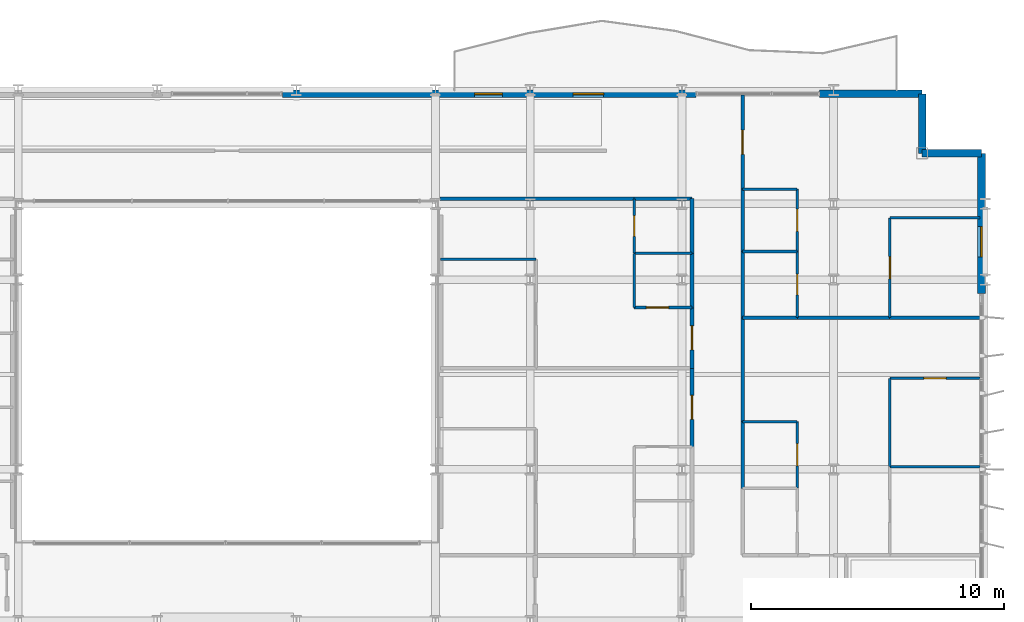
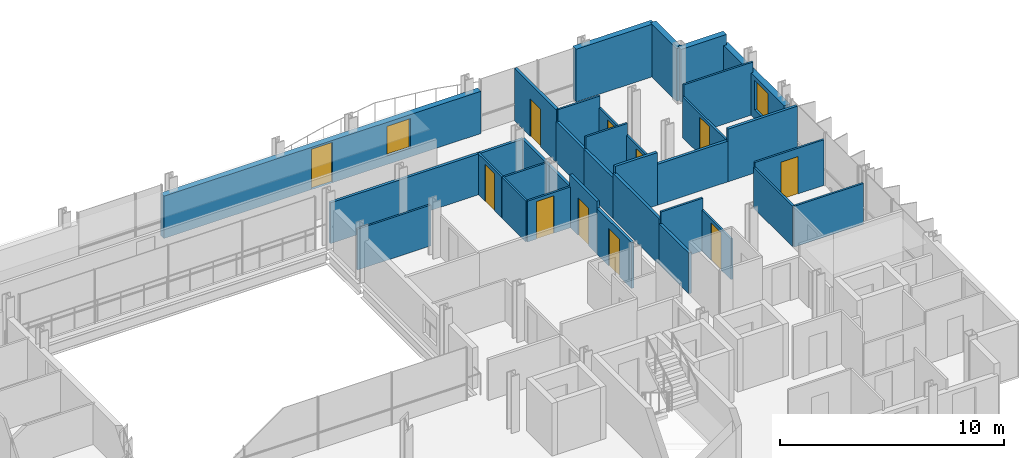
# One storey, part 32 of 38: 35 walls, 11 doors, 2 windows, 13 openings.
"""IFC4 building model written with IfcOpenShell, lengths in metres."""

from ifc_helpers import new_model, si_unit, direction, frame, frame_2d, origin, place, context, subcontext, project, spatial, rectangle, extrude, material, layer, layer_set, type_object, element, fill, save


model = new_model("IFC4")

# Units and contexts
model_context = context("Model", 3, precision=1e-05, world=origin(), true_north=direction((0.0, 1.0)))
body_context = subcontext(model_context, "Body", "Model", "MODEL_VIEW")
ifc_project = project(units=[si_unit("LENGTHUNIT", "METRE"), si_unit("AREAUNIT", "SQUARE_METRE"), si_unit("VOLUMEUNIT", "CUBIC_METRE"), si_unit("PLANEANGLEUNIT", "RADIAN"), si_unit("MASSUNIT", "GRAM", prefix="KILO")], contexts=[model_context])

# Site, building, storey
site_placement = place(None, origin())
site = spatial("IfcSite", under=ifc_project, at=site_placement, CompositionType="ELEMENT")
building_placement = place(site_placement, origin())
building = spatial("IfcBuilding", under=site, at=building_placement, Name="Brevholm Reach", CompositionType="ELEMENT")
storey_placement = place(building_placement, frame((0.0, 0.0, 65.199951171875)))
storey = spatial("IfcBuildingStorey", under=building, at=storey_placement, Name="L18", CompositionType="ELEMENT", Elevation=65.199951171875)

# Walls
ifc_material_1 = material(Name="Concrete C40/50", Category="concrete")
ifc_layer_1 = layer(ifc_material_1, 0.300048828125)
ifc_layer_set_1 = layer_set([ifc_layer_1], Name="Concrete C40/50")
wall_type_1 = type_object("IfcWallType", Name="WAL-EXT-300", PredefinedType="STANDARD", material=ifc_layer_set_1)
for number, where, z_axis, x_axis, name in (
    (1, (59.85009765625, 28.5, 0.0), (0.0, 0.0, 1.0), (-1.0, 0.0, 0.0), "L18 Facade Wall WAL-L18-CNE1"),
    (2, (57.5, 28.5, 0.0), (0.0, 0.0, 1.0), (0.0, 1.0, 0.0), "L18 Facade Wall WAL-L18-CNE2"),
):
    element("IfcWall", number, at=place(storey_placement, frame(where, z_axis=z_axis, x_axis=x_axis)), inside=storey, type_object=wall_type_1, Name=name, PredefinedType="STANDARD", context=body_context, shape_type="SweptSolid", body=[
        extrude(rectangle(XDim=2.35009765625, YDim=0.300048828125, at=frame_2d((1.175048828125, 0.0))), origin(), (0.0, 0.0, 1.0), 2.8701171875),
    ])

# Wall, opening, window
wall_1_placement = place(storey_placement, frame((59.85009765625, 22.949951171875, 0.0), z_axis=(0.0, 0.0, 1.0), x_axis=(0.0, 1.0, 0.0)))
wall_1 = element("IfcWall", 3, at=wall_1_placement, inside=storey, type_object=wall_type_1, Name="L18 Facade Wall WAL-L18-E-N", PredefinedType="STANDARD", context=body_context, shape_type="SweptSolid", body=[
    extrude(rectangle(XDim=5.550048828125, YDim=0.300048828125, at=frame_2d((2.77490234375, 0.0))), origin(), (0.0, 0.0, 1.0), 2.3056640625),
])
opening_1_placement = place(wall_1_placement, frame((1.449951171875, 0.0, 0.485107421875)))
opening_1 = element("IfcOpeningElement", 4, at=opening_1_placement, cuts=wall_1, Name="Opening WN-08", PredefinedType="OPENING", context=body_context, shape_type="SweptSolid", body=[
    extrude(rectangle(XDim=1.199951171875, YDim=1.60009765625, at=frame_2d((0.60009765625, 0.800048828125))), frame((0.0, 0.159912109375, 0.0), z_axis=(0.0, -1.0, 0.0), x_axis=(1.0, 0.0, 0.0)), (0.0, 0.0, 1.0), 0.320068359375),
])
ifc_material_2 = material(Name="Dark Anodised Aluminium and Solar-Control IGU Glass", Category="aluminium")
window_type = type_object("IfcWindowType", Name="WIN-RES-1200", PartitioningType="SINGLE_PANEL", PredefinedType="WINDOW", material=ifc_material_2)
window_1_placement = place(opening_1_placement, origin())
window_1 = element("IfcWindow", 5, at=window_1_placement, inside=storey, type_object=window_type, Name="L18 Window WIN-L18-EN-1", OverallHeight=1.60009765625, OverallWidth=1.199951171875, PartitioningType="SINGLE_PANEL", PredefinedType="WINDOW", context=body_context, shape_type="SweptSolid", body=[
    extrude(rectangle(XDim=1.199951171875, YDim=1.60009765625, at=frame_2d((0.60009765625, 0.800048828125))), frame((0.0, 0.030029296875, 0.0), z_axis=(0.0, -1.0, 0.0), x_axis=(1.0, 0.0, 0.0)), (0.0, 0.0, 1.0), 0.06005859375),
])
fill(opening_1, window_1)

# Wall
wall_2_placement = place(storey_placement, frame((53.449951171875, 30.85009765625, 0.0), z_axis=(0.0, 0.0, 1.0), x_axis=(1.0, 0.0, 0.0)))
element("IfcWall", 6, at=wall_2_placement, inside=storey, type_object=wall_type_1, Name="L18 Facade Wall WAL-L18-NP-E0", PredefinedType="STANDARD", context=body_context, shape_type="SweptSolid", body=[
    extrude(rectangle(XDim=4.050048828125, YDim=0.300048828125, at=frame_2d((2.02490234375, 0.0))), origin(), (0.0, 0.0, 1.0), 2.8701171875),
])

# Wall, openings, door, window
wall_3_placement = place(storey_placement, frame((32.199951171875, 30.85009765625, 0.0), z_axis=(0.0, 0.0, 1.0), x_axis=(1.0, 0.0, 0.0)))
wall_3 = element("IfcWall", 7, at=wall_3_placement, inside=storey, type_object=wall_type_1, Name="L18 Facade Wall WAL-L18-NP-ER", PredefinedType="STANDARD", context=body_context, shape_type="SweptSolid", body=[
    extrude(rectangle(XDim=16.35009765625, YDim=0.300048828125, at=frame_2d((8.175048828125, 0.0))), origin(), (0.0, 0.0, 1.0), 2.3056640625),
])
opening_2_placement = place(wall_3_placement, frame((7.60009765625, 0.0, 0.0)))
opening_2 = element("IfcOpeningElement", 8, at=opening_2_placement, cuts=wall_3, Name="Opening BD-01", PredefinedType="OPENING", context=body_context, shape_type="SweptSolid", body=[
    extrude(rectangle(XDim=1.10009765625, YDim=2.199951171875, at=frame_2d((0.550048828125, 1.10009765625))), frame((0.0, 0.159912109375, 0.0), z_axis=(0.0, -1.0, 0.0), x_axis=(1.0, 0.0, 0.0)), (0.0, 0.0, 1.0), 0.320068359375),
])
opening_3_placement = place(wall_3_placement, frame((11.5, 0.0, 0.485107421875)))
opening_3 = element("IfcOpeningElement", 9, at=opening_3_placement, cuts=wall_3, Name="Opening WN-08", PredefinedType="OPENING", context=body_context, shape_type="SweptSolid", body=[
    extrude(rectangle(XDim=1.199951171875, YDim=1.60009765625, at=frame_2d((0.60009765625, 0.800048828125))), frame((0.0, 0.159912109375, 0.0), z_axis=(0.0, -1.0, 0.0), x_axis=(1.0, 0.0, 0.0)), (0.0, 0.0, 1.0), 0.320068359375),
])
ifc_material_3 = material(Name="Dark Anodised Aluminium and Triple-Glazed Glass", Category="aluminium")
door_type_1 = type_object("IfcDoorType", Name="DOR-BALC-1100", OperationType="NOTDEFINED", PredefinedType="DOOR", material=ifc_material_3)
door_1_placement = place(opening_2_placement, origin())
door_1 = element("IfcDoor", 10, at=door_1_placement, inside=storey, type_object=door_type_1, Name="L18 Exterior Door DOR-L18-BL-NE", OperationType="SINGLE_SWING_LEFT", OverallHeight=2.199951171875, OverallWidth=1.10009765625, PredefinedType="DOOR", context=body_context, shape_type="SweptSolid", body=[
    extrude(rectangle(XDim=1.10009765625, YDim=2.199951171875, at=frame_2d((0.550048828125, 1.10009765625))), frame((0.0, 0.02490234375, 0.0), z_axis=(0.0, -1.0, 0.0), x_axis=(1.0, 0.0, 0.0)), (0.0, 0.0, 1.0), 0.050048828125),
])
fill(opening_2, door_1)
window_2_placement = place(opening_3_placement, origin())
window_2 = element("IfcWindow", 11, at=window_2_placement, inside=storey, type_object=window_type, Name="L18 Window WIN-L18-NP-ER1", OverallHeight=1.60009765625, OverallWidth=1.199951171875, PartitioningType="SINGLE_PANEL", PredefinedType="WINDOW", context=body_context, shape_type="SweptSolid", body=[
    extrude(rectangle(XDim=1.199951171875, YDim=1.60009765625, at=frame_2d((0.60009765625, 0.800048828125))), frame((0.0, 0.030029296875, 0.0), z_axis=(0.0, -1.0, 0.0), x_axis=(1.0, 0.0, 0.0)), (0.0, 0.0, 1.0), 0.06005859375),
])
fill(opening_3, window_2)

# Wall
ifc_material_4 = material(Name="Moisture-Resistant Acoustic Gypsum Stud Partition 100 mm", Category="gypsum")
ifc_layer_2 = layer(ifc_material_4, 0.10009765625)
ifc_layer_set_2 = layer_set([ifc_layer_2], Name="Moisture-Resistant Acoustic Gypsum Stud Partition 100 mm")
wall_type_2 = type_object("IfcWallType", Name="WAL-PRT-100", PredefinedType="PARTITIONING", material=ifc_layer_set_2)
wall_4_placement = place(storey_placement, frame((46.112060546875, 24.550048828125, 0.0), z_axis=(0.0, 0.0, 1.0), x_axis=(1.0, 0.0, 0.0)))
element("IfcWall", 12, at=wall_4_placement, inside=storey, type_object=wall_type_2, Name="L18 Internal Partition 130", PredefinedType="PARTITIONING", context=body_context, shape_type="SweptSolid", body=[
    extrude(rectangle(XDim=2.283935546875, YDim=0.10009765625, at=frame_2d((1.14208984375, 0.0))), origin(), (0.0, 0.0, 1.0), 2.224853515625),
])

# Wall, opening, door
wall_5_placement = place(storey_placement, frame((46.112060546875, 24.550048828125, 0.0), z_axis=(0.0, 0.0, 1.0), x_axis=(0.0, 1.0, 0.0)))
wall_5 = element("IfcWall", 13, at=wall_5_placement, inside=storey, type_object=wall_type_2, Name="L18 Internal Partition 131", PredefinedType="PARTITIONING", context=body_context, shape_type="SweptSolid", body=[
    extrude(rectangle(XDim=2.14599609375, YDim=0.10009765625, at=frame_2d((1.072998046875, 0.0))), origin(), (0.0, 0.0, 1.0), 2.224853515625),
])
opening_4_placement = place(wall_5_placement, frame((0.6630859375, 0.0, 0.0)))
opening_4 = element("IfcOpeningElement", 14, at=opening_4_placement, cuts=wall_5, Name="Opening ID-03", PredefinedType="OPENING", context=body_context, shape_type="SweptSolid", body=[
    extrude(rectangle(XDim=0.820068359375, YDim=2.02001953125, at=frame_2d((0.41015625, 1.010009765625))), frame((0.0, 0.06005859375, 0.0), z_axis=(0.0, -1.0, 0.0), x_axis=(1.0, 0.0, 0.0)), (0.0, 0.0, 1.0), 0.1201171875),
])
ifc_material_5 = material(Name="Moisture-Resistant Painted Timber Internal Bathroom Door", Category="wood")
door_type_2 = type_object("IfcDoorType", Name="DOR-BATH-820", OperationType="NOTDEFINED", PredefinedType="DOOR", material=ifc_material_5)
door_2_placement = place(opening_4_placement, origin())
door_2 = element("IfcDoor", 15, at=door_2_placement, inside=storey, type_object=door_type_2, Name="L18 Internal Door 050", OperationType="SINGLE_SWING_RIGHT", OverallHeight=2.02001953125, OverallWidth=0.820068359375, PredefinedType="DOOR", context=body_context, shape_type="SweptSolid", body=[
    extrude(rectangle(XDim=0.820068359375, YDim=2.02001953125, at=frame_2d((0.41015625, 1.010009765625))), frame((0.0, 0.02490234375, 0.0), z_axis=(0.0, -1.0, 0.0), x_axis=(1.0, 0.0, 0.0)), (0.0, 0.0, 1.0), 0.050048828125),
])
fill(opening_4, door_2)

wall_6_placement = place(storey_placement, frame((46.112060546875, 22.39990234375, 0.0), z_axis=(0.0, 0.0, 1.0), x_axis=(1.0, 0.0, 0.0)))
wall_6 = element("IfcWall", 16, at=wall_6_placement, inside=storey, type_object=wall_type_2, Name="L18 Internal Partition 132", PredefinedType="PARTITIONING", context=body_context, shape_type="SweptSolid", body=[
    extrude(rectangle(XDim=2.283935546875, YDim=0.10009765625, at=frame_2d((1.14208984375, 0.0))), origin(), (0.0, 0.0, 1.0), 2.224853515625),
])
opening_5_placement = place(wall_6_placement, frame((0.48193359375, 0.0, 0.0)))
opening_5 = element("IfcOpeningElement", 17, at=opening_5_placement, cuts=wall_6, Name="Opening ID-01", PredefinedType="OPENING", context=body_context, shape_type="SweptSolid", body=[
    extrude(rectangle(XDim=0.8798828125, YDim=2.0400390625, at=frame_2d((0.43994140625, 1.02001953125))), frame((0.0, 0.06005859375, 0.0), z_axis=(0.0, -1.0, 0.0), x_axis=(1.0, 0.0, 0.0)), (0.0, 0.0, 1.0), 0.1201171875),
])
ifc_material_6 = material(Name="Lacquered Ash Solid-Core Acoustic Internal Door", Category="timber")
door_type_3 = type_object("IfcDoorType", Name="DOR-INT-880", OperationType="NOTDEFINED", PredefinedType="DOOR", material=ifc_material_6)
door_3_placement = place(opening_5_placement, origin())
door_3 = element("IfcDoor", 18, at=door_3_placement, inside=storey, type_object=door_type_3, Name="L18 Internal Door 051", OperationType="SINGLE_SWING_LEFT", OverallHeight=2.0400390625, OverallWidth=0.8798828125, PredefinedType="DOOR", context=body_context, shape_type="SweptSolid", body=[
    extrude(rectangle(XDim=0.8798828125, YDim=2.0400390625, at=frame_2d((0.43994140625, 1.02001953125))), frame((0.0, 0.02490234375, 0.0), z_axis=(0.0, -1.0, 0.0), x_axis=(1.0, 0.0, 0.0)), (0.0, 0.0, 1.0), 0.050048828125),
])
fill(opening_5, door_3)

# Walls
wall_7_placement = place(storey_placement, frame((46.112060546875, 22.39990234375, 0.0), z_axis=(0.0, 0.0, 1.0), x_axis=(0.0, 1.0, 0.0)))
element("IfcWall", 19, at=wall_7_placement, inside=storey, type_object=wall_type_2, Name="L18 Internal Partition 133", PredefinedType="PARTITIONING", context=body_context, shape_type="SweptSolid", body=[
    extrude(rectangle(XDim=2.14599609375, YDim=0.10009765625, at=frame_2d((1.072998046875, 0.0))), origin(), (0.0, 0.0, 1.0), 2.224853515625),
])
wall_8_placement = place(storey_placement, frame((38.449951171875, 24.300048828125, 0.0), z_axis=(0.0, 0.0, 1.0), x_axis=(1.0, 0.0, 0.0)))
element("IfcWall", 20, at=wall_8_placement, inside=storey, type_object=wall_type_2, Name="L18 Internal Partition 135", PredefinedType="PARTITIONING", context=body_context, shape_type="SweptSolid", body=[
    extrude(rectangle(XDim=3.781005859375, YDim=0.10009765625, at=frame_2d((1.890625, 0.0))), origin(), (0.0, 0.0, 1.0), 2.224853515625),
])

# Wall, opening, door
wall_9_placement = place(storey_placement, frame((52.56201171875, 15.261962890625, 0.0), z_axis=(0.0, 0.0, 1.0), x_axis=(0.0, 1.0, 0.0)))
wall_9 = element("IfcWall", 21, at=wall_9_placement, inside=storey, type_object=wall_type_2, Name="L18 Internal Partition 138", PredefinedType="PARTITIONING", context=body_context, shape_type="SweptSolid", body=[
    extrude(rectangle(XDim=2.6279296875, YDim=0.10009765625, at=frame_2d((1.31396484375, 0.0))), origin(), (0.0, 0.0, 1.0), 2.224853515625),
])
opening_6_placement = place(wall_9_placement, frame((0.8740234375, 0.0, 0.0)))
opening_6 = element("IfcOpeningElement", 22, at=opening_6_placement, cuts=wall_9, Name="Opening ID-01", PredefinedType="OPENING", context=body_context, shape_type="SweptSolid", body=[
    extrude(rectangle(XDim=0.8798828125, YDim=2.0400390625, at=frame_2d((0.43994140625, 1.02001953125))), frame((0.0, 0.06005859375, 0.0), z_axis=(0.0, -1.0, 0.0), x_axis=(1.0, 0.0, 0.0)), (0.0, 0.0, 1.0), 0.1201171875),
])
door_4_placement = place(opening_6_placement, origin())
door_4 = element("IfcDoor", 23, at=door_4_placement, inside=storey, type_object=door_type_3, Name="L18 Internal Door 054", OperationType="SINGLE_SWING_RIGHT", OverallHeight=2.0400390625, OverallWidth=0.8798828125, PredefinedType="DOOR", context=body_context, shape_type="SweptSolid", body=[
    extrude(rectangle(XDim=0.8798828125, YDim=2.0400390625, at=frame_2d((0.43994140625, 1.02001953125))), frame((0.0, 0.02490234375, 0.0), z_axis=(0.0, -1.0, 0.0), x_axis=(1.0, 0.0, 0.0)), (0.0, 0.0, 1.0), 0.050048828125),
])
fill(opening_6, door_4)

# Walls
wall_10_placement = place(storey_placement, frame((50.404052734375, 17.889892578125, 0.0), z_axis=(0.0, 0.0, 1.0), x_axis=(1.0, 0.0, 0.0)))
element("IfcWall", 24, at=wall_10_placement, inside=storey, type_object=wall_type_2, Name="L18 Internal Partition 139", PredefinedType="PARTITIONING", context=body_context, shape_type="SweptSolid", body=[
    extrude(rectangle(XDim=2.157958984375, YDim=0.10009765625, at=frame_2d((1.0791015625, 0.0))), origin(), (0.0, 0.0, 1.0), 2.8701171875),
])
wall_11_placement = place(storey_placement, frame((56.22802734375, 16.10009765625, 0.0), z_axis=(0.0, 0.0, 1.0), x_axis=(1.0, 0.0, 0.0)))
element("IfcWall", 25, at=wall_11_placement, inside=storey, type_object=wall_type_2, Name="L18 Internal Partition 140", PredefinedType="PARTITIONING", context=body_context, shape_type="SweptSolid", body=[
    extrude(rectangle(XDim=3.572021484375, YDim=0.10009765625, at=frame_2d((1.7861328125, 0.0))), origin(), (0.0, 0.0, 1.0), 2.224853515625),
])

# Wall, opening, door
wall_12_placement = place(storey_placement, frame((56.22802734375, 19.60009765625, 0.0), z_axis=(0.0, 0.0, 1.0), x_axis=(1.0, 0.0, 0.0)))
wall_12 = element("IfcWall", 26, at=wall_12_placement, inside=storey, type_object=wall_type_2, Name="L18 Internal Partition 142", PredefinedType="PARTITIONING", context=body_context, shape_type="SweptSolid", body=[
    extrude(rectangle(XDim=3.572021484375, YDim=0.10009765625, at=frame_2d((1.7861328125, 0.0))), origin(), (0.0, 0.0, 1.0), 2.489990234375),
])
opening_7_placement = place(wall_12_placement, frame((1.345947265625, 0.0, 0.0)))
opening_7 = element("IfcOpeningElement", 27, at=opening_7_placement, cuts=wall_12, Name="Opening ID-01", PredefinedType="OPENING", context=body_context, shape_type="SweptSolid", body=[
    extrude(rectangle(XDim=0.8798828125, YDim=2.0400390625, at=frame_2d((0.43994140625, 1.02001953125))), frame((0.0, 0.06005859375, 0.0), z_axis=(0.0, -1.0, 0.0), x_axis=(1.0, 0.0, 0.0)), (0.0, 0.0, 1.0), 0.1201171875),
])
door_5_placement = place(opening_7_placement, origin())
door_5 = element("IfcDoor", 28, at=door_5_placement, inside=storey, type_object=door_type_3, Name="L18 Internal Door 056", OperationType="SINGLE_SWING_RIGHT", OverallHeight=2.0400390625, OverallWidth=0.8798828125, PredefinedType="DOOR", context=body_context, shape_type="SweptSolid", body=[
    extrude(rectangle(XDim=0.8798828125, YDim=2.0400390625, at=frame_2d((0.43994140625, 1.02001953125))), frame((0.0, 0.02490234375, 0.0), z_axis=(0.0, -1.0, 0.0), x_axis=(1.0, 0.0, 0.0)), (0.0, 0.0, 1.0), 0.050048828125),
])
fill(opening_7, door_5)

# Walls
wall_13_placement = place(storey_placement, frame((56.22802734375, 16.10400390625, 0.0), z_axis=(0.0, 0.0, 1.0), x_axis=(0.0, 1.0, 0.0)))
element("IfcWall", 29, at=wall_13_placement, inside=storey, type_object=wall_type_2, Name="L18 Internal Partition 143", PredefinedType="PARTITIONING", context=body_context, shape_type="SweptSolid", body=[
    extrude(rectangle(XDim=3.49609375, YDim=0.10009765625, at=frame_2d((1.748046875, 0.0))), origin(), (0.0, 0.0, 1.0), 2.224853515625),
])
wall_14_placement = place(storey_placement, frame((50.404052734375, 24.615966796875, 0.0), z_axis=(0.0, 0.0, 1.0), x_axis=(1.0, 0.0, 0.0)))
element("IfcWall", 30, at=wall_14_placement, inside=storey, type_object=wall_type_2, Name="L18 Internal Partition 147", PredefinedType="PARTITIONING", context=body_context, shape_type="SweptSolid", body=[
    extrude(rectangle(XDim=2.157958984375, YDim=0.10009765625, at=frame_2d((1.0791015625, 0.0))), origin(), (0.0, 0.0, 1.0), 2.8701171875),
])

# Wall, opening, door
wall_15_placement = place(storey_placement, frame((52.56201171875, 22.00390625, 0.0), z_axis=(0.0, 0.0, 1.0), x_axis=(0.0, 1.0, 0.0)))
wall_15 = element("IfcWall", 31, at=wall_15_placement, inside=storey, type_object=wall_type_2, Name="L18 Internal Partition 148", PredefinedType="PARTITIONING", context=body_context, shape_type="SweptSolid", body=[
    extrude(rectangle(XDim=2.612060546875, YDim=0.10009765625, at=frame_2d((1.30615234375, 0.0))), origin(), (0.0, 0.0, 1.0), 2.224853515625),
])
opening_8_placement = place(wall_15_placement, frame((0.89599609375, 0.0, 0.0)))
opening_8 = element("IfcOpeningElement", 32, at=opening_8_placement, cuts=wall_15, Name="Opening ID-03", PredefinedType="OPENING", context=body_context, shape_type="SweptSolid", body=[
    extrude(rectangle(XDim=0.820068359375, YDim=2.02001953125, at=frame_2d((0.41015625, 1.010009765625))), frame((0.0, 0.06005859375, 0.0), z_axis=(0.0, -1.0, 0.0), x_axis=(1.0, 0.0, 0.0)), (0.0, 0.0, 1.0), 0.1201171875),
])
door_6_placement = place(opening_8_placement, origin())
door_6 = element("IfcDoor", 33, at=door_6_placement, inside=storey, type_object=door_type_2, Name="L18 Internal Door 057", OperationType="SINGLE_SWING_LEFT", OverallHeight=2.02001953125, OverallWidth=0.820068359375, PredefinedType="DOOR", context=body_context, shape_type="SweptSolid", body=[
    extrude(rectangle(XDim=0.820068359375, YDim=2.02001953125, at=frame_2d((0.41015625, 1.010009765625))), frame((0.0, 0.02490234375, 0.0), z_axis=(0.0, -1.0, 0.0), x_axis=(1.0, 0.0, 0.0)), (0.0, 0.0, 1.0), 0.050048828125),
])
fill(opening_8, door_6)

wall_16_placement = place(storey_placement, frame((52.56201171875, 24.6201171875, 0.0), z_axis=(0.0, 0.0, 1.0), x_axis=(0.0, 1.0, 0.0)))
wall_16 = element("IfcWall", 34, at=wall_16_placement, inside=storey, type_object=wall_type_2, Name="L18 Internal Partition 149", PredefinedType="PARTITIONING", context=body_context, shape_type="SweptSolid", body=[
    extrude(rectangle(XDim=2.4599609375, YDim=0.10009765625, at=frame_2d((1.22998046875, 0.0))), origin(), (0.0, 0.0, 1.0), 2.224853515625),
])
opening_9_placement = place(wall_16_placement, frame((0.7900390625, 0.0, 0.0)))
opening_9 = element("IfcOpeningElement", 35, at=opening_9_placement, cuts=wall_16, Name="Opening ID-01", PredefinedType="OPENING", context=body_context, shape_type="SweptSolid", body=[
    extrude(rectangle(XDim=0.8798828125, YDim=2.0400390625, at=frame_2d((0.43994140625, 1.02001953125))), frame((0.0, 0.06005859375, 0.0), z_axis=(0.0, -1.0, 0.0), x_axis=(1.0, 0.0, 0.0)), (0.0, 0.0, 1.0), 0.1201171875),
])
door_7_placement = place(opening_9_placement, origin())
door_7 = element("IfcDoor", 36, at=door_7_placement, inside=storey, type_object=door_type_3, Name="L18 Internal Door 058", OperationType="SINGLE_SWING_RIGHT", OverallHeight=2.0400390625, OverallWidth=0.8798828125, PredefinedType="DOOR", context=body_context, shape_type="SweptSolid", body=[
    extrude(rectangle(XDim=0.8798828125, YDim=2.0400390625, at=frame_2d((0.43994140625, 1.02001953125))), frame((0.0, 0.02490234375, 0.0), z_axis=(0.0, -1.0, 0.0), x_axis=(1.0, 0.0, 0.0)), (0.0, 0.0, 1.0), 0.050048828125),
])
fill(opening_9, door_7)

# Walls
wall_17_placement = place(storey_placement, frame((50.404052734375, 27.080078125, 0.0), z_axis=(0.0, 0.0, 1.0), x_axis=(1.0, 0.0, 0.0)))
element("IfcWall", 37, at=wall_17_placement, inside=storey, type_object=wall_type_2, Name="L18 Internal Partition 150", PredefinedType="PARTITIONING", context=body_context, shape_type="SweptSolid", body=[
    extrude(rectangle(XDim=2.157958984375, YDim=0.10009765625, at=frame_2d((1.0791015625, 0.0))), origin(), (0.0, 0.0, 1.0), 2.8701171875),
])
wall_18_placement = place(storey_placement, frame((56.22802734375, 25.949951171875, 0.0), z_axis=(0.0, 0.0, 1.0), x_axis=(1.0, 0.0, 0.0)))
element("IfcWall", 38, at=wall_18_placement, inside=storey, type_object=wall_type_2, Name="L18 Internal Partition 151", PredefinedType="PARTITIONING", context=body_context, shape_type="SweptSolid", body=[
    extrude(rectangle(XDim=3.572021484375, YDim=0.10009765625, at=frame_2d((1.7861328125, 0.0))), origin(), (0.0, 0.0, 1.0), 2.8701171875),
])

# Wall, opening, door
wall_19_placement = place(storey_placement, frame((56.22802734375, 22.00390625, 0.0), z_axis=(0.0, 0.0, 1.0), x_axis=(0.0, 1.0, 0.0)))
wall_19 = element("IfcWall", 39, at=wall_19_placement, inside=storey, type_object=wall_type_2, Name="L18 Internal Partition 152", PredefinedType="PARTITIONING", context=body_context, shape_type="SweptSolid", body=[
    extrude(rectangle(XDim=3.946044921875, YDim=0.10009765625, at=frame_2d((1.97314453125, 0.0))), origin(), (0.0, 0.0, 1.0), 2.224853515625),
])
opening_10_placement = place(wall_19_placement, frame((1.532958984375, 0.0, 0.0)))
opening_10 = element("IfcOpeningElement", 40, at=opening_10_placement, cuts=wall_19, Name="Opening ID-01", PredefinedType="OPENING", context=body_context, shape_type="SweptSolid", body=[
    extrude(rectangle(XDim=0.8798828125, YDim=2.0400390625, at=frame_2d((0.43994140625, 1.02001953125))), frame((0.0, 0.06005859375, 0.0), z_axis=(0.0, -1.0, 0.0), x_axis=(1.0, 0.0, 0.0)), (0.0, 0.0, 1.0), 0.1201171875),
])
door_8_placement = place(opening_10_placement, origin())
door_8 = element("IfcDoor", 41, at=door_8_placement, inside=storey, type_object=door_type_3, Name="L18 Internal Door 059", OperationType="SINGLE_SWING_LEFT", OverallHeight=2.0400390625, OverallWidth=0.8798828125, PredefinedType="DOOR", context=body_context, shape_type="SweptSolid", body=[
    extrude(rectangle(XDim=0.8798828125, YDim=2.0400390625, at=frame_2d((0.43994140625, 1.02001953125))), frame((0.0, 0.02490234375, 0.0), z_axis=(0.0, -1.0, 0.0), x_axis=(1.0, 0.0, 0.0)), (0.0, 0.0, 1.0), 0.050048828125),
])
fill(opening_10, door_8)

ifc_material_7 = material(Name="Twin-Stud Acoustic Fire-Rated Gypsum Partition 140 mm", Category="gypsum")
ifc_layer_3 = layer(ifc_material_7, 0.139892578125)
ifc_layer_set_3 = layer_set([ifc_layer_3], Name="Twin-Stud Acoustic Fire-Rated Gypsum Partition 140 mm")
wall_type_3 = type_object("IfcWallType", Name="WAL-PRT-140", PredefinedType="PARTITIONING", material=ifc_layer_set_3)
wall_20_placement = place(storey_placement, frame((48.39990234375, 16.892578125, 0.0), z_axis=(0.0, 0.0, 1.0), x_axis=(0.0, 1.0, 0.0)))
wall_20 = element("IfcWall", 42, at=wall_20_placement, inside=storey, type_object=wall_type_3, Name="L18 Internal Partition 049", PredefinedType="PARTITIONING", context=body_context, shape_type="SweptSolid", body=[
    extrude(rectangle(XDim=3.11865234375, YDim=0.139892578125, at=frame_2d((1.559326171875, 0.0))), origin(), (0.0, 0.0, 1.0), 2.489990234375),
])
opening_11_placement = place(wall_20_placement, frame((1.084228515625, 0.0, 0.0)))
opening_11 = element("IfcOpeningElement", 43, at=opening_11_placement, cuts=wall_20, Name="Opening ID-30", PredefinedType="OPENING", context=body_context, shape_type="SweptSolid", body=[
    extrude(rectangle(XDim=0.949951171875, YDim=2.050048828125, at=frame_2d((0.47509765625, 1.02490234375))), frame((0.0, 0.079833984375, 0.0), z_axis=(0.0, -1.0, 0.0), x_axis=(1.0, 0.0, 0.0)), (0.0, 0.0, 1.0), 0.159912109375),
])
ifc_material_8 = material(Name="European Oak Veneered Solid-Core Fire Entrance Door", Category="timber")
door_type_4 = type_object("IfcDoorType", Name="DOR-FLT-FD30S", OperationType="NOTDEFINED", PredefinedType="DOOR", material=ifc_material_8)
door_9_placement = place(opening_11_placement, origin())
door_9 = element("IfcDoor", 44, at=door_9_placement, inside=storey, type_object=door_type_4, Name="L18 Internal Door 020", OperationType="SINGLE_SWING_RIGHT", OverallHeight=2.050048828125, OverallWidth=0.949951171875, PredefinedType="DOOR", context=body_context, shape_type="SweptSolid", body=[
    extrude(rectangle(XDim=0.949951171875, YDim=2.050048828125, at=frame_2d((0.47509765625, 1.02490234375))), frame((0.0, 0.02490234375, 0.0), z_axis=(0.0, -1.0, 0.0), x_axis=(1.0, 0.0, 0.0)), (0.0, 0.0, 1.0), 0.050048828125),
])
fill(opening_11, door_9)

# Walls
wall_21_placement = place(storey_placement, frame((48.39990234375, 24.538818359375, 0.0), z_axis=(0.0, 0.0, 1.0), x_axis=(0.0, 1.0, 0.0)))
element("IfcWall", 45, at=wall_21_placement, inside=storey, type_object=wall_type_3, Name="L18 Internal Partition 050", PredefinedType="PARTITIONING", context=body_context, shape_type="SweptSolid", body=[
    extrude(rectangle(XDim=2.16845703125, YDim=0.139892578125, at=frame_2d((1.084228515625, 0.0))), origin(), (0.0, 0.0, 1.0), 2.224853515625),
])
wall_22_placement = place(storey_placement, frame((48.39990234375, 22.388671875, 0.0), z_axis=(0.0, 0.0, 1.0), x_axis=(0.0, 1.0, 0.0)))
element("IfcWall", 46, at=wall_22_placement, inside=storey, type_object=wall_type_3, Name="L18 Internal Partition 051", PredefinedType="PARTITIONING", context=body_context, shape_type="SweptSolid", body=[
    extrude(rectangle(XDim=2.168701171875, YDim=0.139892578125, at=frame_2d((1.08447265625, 0.0))), origin(), (0.0, 0.0, 1.0), 2.224853515625),
])

# Wall, opening, door
wall_23_placement = place(storey_placement, frame((48.39990234375, 19.99267578125, 0.0), z_axis=(0.0, 0.0, 1.0), x_axis=(0.0, 1.0, 0.0)))
wall_23 = element("IfcWall", 47, at=wall_23_placement, inside=storey, type_object=wall_type_3, Name="L18 Internal Partition 052", PredefinedType="PARTITIONING", context=body_context, shape_type="SweptSolid", body=[
    extrude(rectangle(XDim=2.41455078125, YDim=0.139892578125, at=frame_2d((1.207275390625, 0.0))), origin(), (0.0, 0.0, 1.0), 2.8701171875),
])
opening_12_placement = place(wall_23_placement, frame((0.732421875, 0.0, 0.0)))
opening_12 = element("IfcOpeningElement", 48, at=opening_12_placement, cuts=wall_23, Name="Opening ID-30", PredefinedType="OPENING", context=body_context, shape_type="SweptSolid", body=[
    extrude(rectangle(XDim=0.949951171875, YDim=2.050048828125, at=frame_2d((0.47509765625, 1.02490234375))), frame((0.0, 0.079833984375, 0.0), z_axis=(0.0, -1.0, 0.0), x_axis=(1.0, 0.0, 0.0)), (0.0, 0.0, 1.0), 0.159912109375),
])
door_10_placement = place(opening_12_placement, origin())
door_10 = element("IfcDoor", 49, at=door_10_placement, inside=storey, type_object=door_type_4, Name="L18 Internal Door 021", OperationType="SINGLE_SWING_LEFT", OverallHeight=2.050048828125, OverallWidth=0.949951171875, PredefinedType="DOOR", context=body_context, shape_type="SweptSolid", body=[
    extrude(rectangle(XDim=0.949951171875, YDim=2.050048828125, at=frame_2d((0.47509765625, 1.02490234375))), frame((0.0, 0.02490234375, 0.0), z_axis=(0.0, -1.0, 0.0), x_axis=(1.0, 0.0, 0.0)), (0.0, 0.0, 1.0), 0.050048828125),
])
fill(opening_12, door_10)

# Walls
wall_24_placement = place(storey_placement, frame((50.39990234375, 15.250732421875, 0.0), z_axis=(0.0, 0.0, 1.0), x_axis=(0.0, 1.0, 0.0)))
element("IfcWall", 50, at=wall_24_placement, inside=storey, type_object=wall_type_3, Name="L18 Internal Partition 054", PredefinedType="PARTITIONING", context=body_context, shape_type="SweptSolid", body=[
    extrude(rectangle(XDim=2.650634765625, YDim=0.139892578125, at=frame_2d((1.3251953125, 0.0))), origin(), (0.0, 0.0, 1.0), 2.224853515625),
])
wall_25_placement = place(storey_placement, frame((50.39990234375, 17.8828125, 0.0), z_axis=(0.0, 0.0, 1.0), x_axis=(0.0, 1.0, 0.0)))
element("IfcWall", 51, at=wall_25_placement, inside=storey, type_object=wall_type_3, Name="L18 Internal Partition 055", PredefinedType="PARTITIONING", context=body_context, shape_type="SweptSolid", body=[
    extrude(rectangle(XDim=4.12841796875, YDim=0.139892578125, at=frame_2d((2.064208984375, 0.0))), origin(), (0.0, 0.0, 1.0), 2.489990234375),
])
wall_26_placement = place(storey_placement, frame((50.39990234375, 21.99267578125, 0.0), z_axis=(0.0, 0.0, 1.0), x_axis=(0.0, 1.0, 0.0)))
element("IfcWall", 52, at=wall_26_placement, inside=storey, type_object=wall_type_3, Name="L18 Internal Partition 056", PredefinedType="PARTITIONING", context=body_context, shape_type="SweptSolid", body=[
    extrude(rectangle(XDim=2.634521484375, YDim=0.139892578125, at=frame_2d((1.3173828125, 0.0))), origin(), (0.0, 0.0, 1.0), 2.224853515625),
])
wall_27_placement = place(storey_placement, frame((50.39990234375, 24.608642578125, 0.0), z_axis=(0.0, 0.0, 1.0), x_axis=(0.0, 1.0, 0.0)))
element("IfcWall", 53, at=wall_27_placement, inside=storey, type_object=wall_type_3, Name="L18 Internal Partition 057", PredefinedType="PARTITIONING", context=body_context, shape_type="SweptSolid", body=[
    extrude(rectangle(XDim=2.482666015625, YDim=0.139892578125, at=frame_2d((1.2412109375, 0.0))), origin(), (0.0, 0.0, 1.0), 2.224853515625),
])

# Wall, opening, door
wall_28_placement = place(storey_placement, frame((50.39990234375, 27.07275390625, 0.0), z_axis=(0.0, 0.0, 1.0), x_axis=(0.0, 1.0, 0.0)))
wall_28 = element("IfcWall", 54, at=wall_28_placement, inside=storey, type_object=wall_type_3, Name="L18 Internal Partition 058", PredefinedType="PARTITIONING", context=body_context, shape_type="SweptSolid", body=[
    extrude(rectangle(XDim=3.727294921875, YDim=0.139892578125, at=frame_2d((1.86376953125, 0.0))), origin(), (0.0, 0.0, 1.0), 2.8701171875),
])
opening_13_placement = place(wall_28_placement, frame((1.388671875, 0.0, 0.0)))
opening_13 = element("IfcOpeningElement", 55, at=opening_13_placement, cuts=wall_28, Name="Opening ID-30", PredefinedType="OPENING", context=body_context, shape_type="SweptSolid", body=[
    extrude(rectangle(XDim=0.949951171875, YDim=2.050048828125, at=frame_2d((0.47509765625, 1.02490234375))), frame((0.0, 0.079833984375, 0.0), z_axis=(0.0, -1.0, 0.0), x_axis=(1.0, 0.0, 0.0)), (0.0, 0.0, 1.0), 0.159912109375),
])
door_11_placement = place(opening_13_placement, origin())
door_11 = element("IfcDoor", 56, at=door_11_placement, inside=storey, type_object=door_type_4, Name="L18 Internal Door 022", OperationType="SINGLE_SWING_RIGHT", OverallHeight=2.050048828125, OverallWidth=0.949951171875, PredefinedType="DOOR", context=body_context, shape_type="SweptSolid", body=[
    extrude(rectangle(XDim=0.949951171875, YDim=2.050048828125, at=frame_2d((0.47509765625, 1.02490234375))), frame((0.0, 0.02490234375, 0.0), z_axis=(0.0, -1.0, 0.0), x_axis=(1.0, 0.0, 0.0)), (0.0, 0.0, 1.0), 0.050048828125),
])
fill(opening_13, door_11)

# Walls
wall_29_placement = place(storey_placement, frame((46.1005859375, 26.699951171875, 0.0), z_axis=(0.0, 0.0, 1.0), x_axis=(1.0, 0.0, 0.0)))
element("IfcWall", 57, at=wall_29_placement, inside=storey, type_object=wall_type_3, Name="L18 Internal Partition 061", PredefinedType="PARTITIONING", context=body_context, shape_type="SweptSolid", body=[
    extrude(rectangle(XDim=2.29541015625, YDim=0.139892578125, at=frame_2d((1.147705078125, 0.0))), origin(), (0.0, 0.0, 1.0), 2.224853515625),
])
wall_30_placement = place(storey_placement, frame((38.438720703125, 26.699951171875, 0.0), z_axis=(0.0, 0.0, 1.0), x_axis=(1.0, 0.0, 0.0)))
element("IfcWall", 58, at=wall_30_placement, inside=storey, type_object=wall_type_3, Name="L18 Internal Partition 062", PredefinedType="PARTITIONING", context=body_context, shape_type="SweptSolid", body=[
    extrude(rectangle(XDim=7.6806640625, YDim=0.139892578125, at=frame_2d((3.84033203125, 0.0))), origin(), (0.0, 0.0, 1.0), 2.224853515625),
])
wall_31_placement = place(storey_placement, frame((50.404052734375, 22.0, 0.0), z_axis=(0.0, 0.0, 1.0), x_axis=(1.0, 0.0, 0.0)))
element("IfcWall", 59, at=wall_31_placement, inside=storey, type_object=wall_type_3, Name="L18 Internal Partition 144", PredefinedType="PARTITIONING", context=body_context, shape_type="SweptSolid", body=[
    extrude(rectangle(XDim=2.169189453125, YDim=0.139892578125, at=frame_2d((1.08447265625, 0.0))), origin(), (0.0, 0.0, 1.0), 2.8701171875),
])
wall_32_placement = place(storey_placement, frame((56.216796875, 22.0, 0.0), z_axis=(0.0, 0.0, 1.0), x_axis=(1.0, 0.0, 0.0)))
element("IfcWall", 60, at=wall_32_placement, inside=storey, type_object=wall_type_3, Name="L18 Internal Partition 145", PredefinedType="PARTITIONING", context=body_context, shape_type="SweptSolid", body=[
    extrude(rectangle(XDim=3.583251953125, YDim=0.139892578125, at=frame_2d((1.79150390625, 0.0))), origin(), (0.0, 0.0, 1.0), 2.8701171875),
])
wall_33_placement = place(storey_placement, frame((52.5546875, 22.0, 0.0), z_axis=(0.0, 0.0, 1.0), x_axis=(1.0, 0.0, 0.0)))
element("IfcWall", 61, at=wall_33_placement, inside=storey, type_object=wall_type_3, Name="L18 Internal Partition 146", PredefinedType="PARTITIONING", context=body_context, shape_type="SweptSolid", body=[
    extrude(rectangle(XDim=3.6806640625, YDim=0.139892578125, at=frame_2d((1.84033203125, 0.0))), origin(), (0.0, 0.0, 1.0), 2.224853515625),
])

save(model, "model.ifc")
